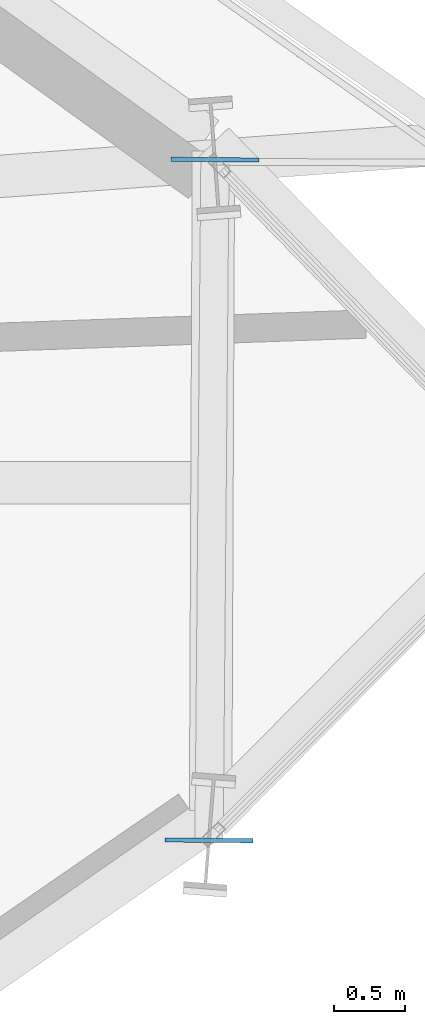
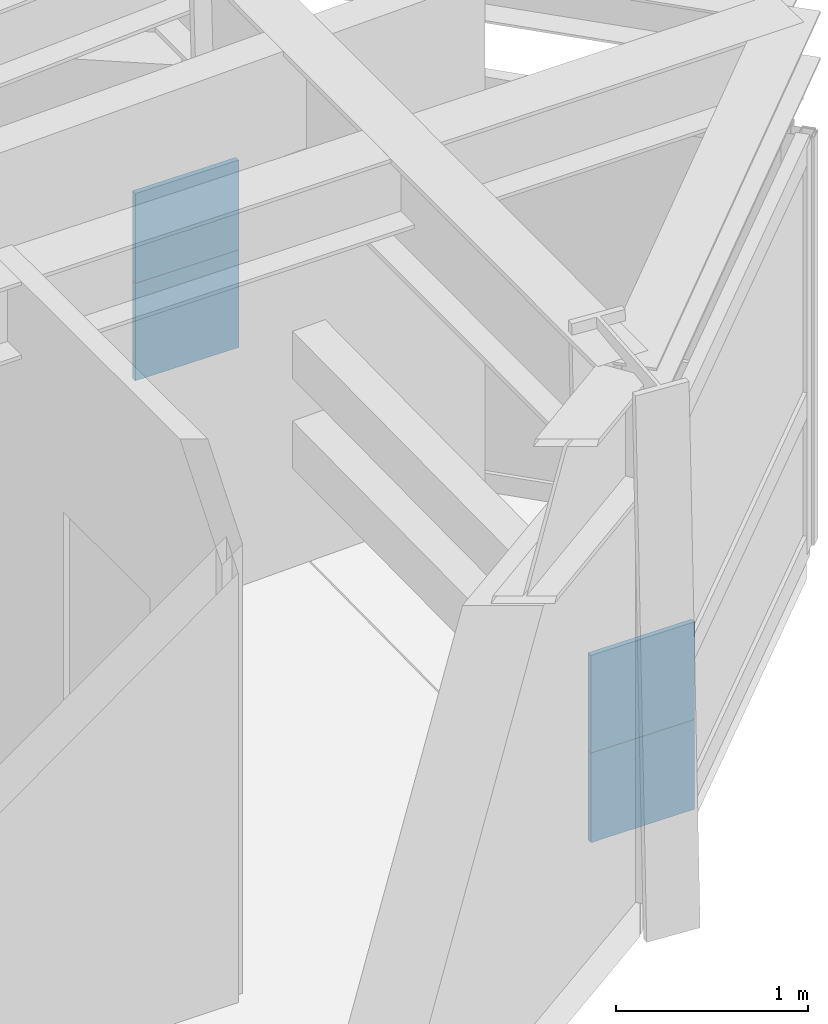
# One storey, part 16 of 24: 4 plates.
"""IFC4 building model written with IfcOpenShell, lengths in metres."""

from ifc_helpers import new_model, si_unit, direction, frame, origin, origin_2d, place, context, subcontext, project, spatial, rectangle, extrude, source, transform, mapped, material, type_object, element, save


model = new_model("IFC4")

# Units and contexts
model_context = context("Model", 3, precision=1e-05, world=origin(), true_north=direction((0.0, 1.0)))
body_context = subcontext(model_context, "Body", "Model", "MODEL_VIEW")
ifc_project = project(units=[si_unit("LENGTHUNIT", "METRE"), si_unit("AREAUNIT", "SQUARE_METRE"), si_unit("VOLUMEUNIT", "CUBIC_METRE"), si_unit("PLANEANGLEUNIT", "RADIAN"), si_unit("MASSUNIT", "GRAM", prefix="KILO")], contexts=[model_context])

# Site, building, storey
site_placement = place(None, origin())
site = spatial("IfcSite", under=ifc_project, at=site_placement, CompositionType="ELEMENT")
building_placement = place(site_placement, origin())
building = spatial("IfcBuilding", under=site, at=building_placement, Name="Olszyna Solenne Hotel", CompositionType="ELEMENT")
storey_placement = place(building_placement, frame((0.0, 0.0, 36.39990234375)))
storey = spatial("IfcBuildingStorey", under=building, at=storey_placement, Name="L08", CompositionType="ELEMENT", Elevation=36.39990234375)

# Plates
ifc_material = material(Name="Steel S460M", Category="steel")
plate_type = type_object("IfcPlateType", Name="GP-CAP2", PredefinedType="USERDEFINED", material=ifc_material)
shared_shape = source(origin(), body_context, "Body", "SweptSolid", [
    extrude(rectangle(XDim=0.030029296875, YDim=0.6201171875, at=origin_2d()), origin(), (0.0, 0.0, 1.0), 0.6201171875),
])
for number, where, z_axis, x_axis, name in (
    (1, (68.923583984375, 24.094970703125, 1.0400390625), (0.0, 0.0, 1.0), (0.008726535498, 0.999961923064, 0.0), "Hollow section end-cap plate GP-CAP2 CP-PR-M-L08-PR1-1"),
    (2, (68.96533203125, 28.909423828125, 1.0400390625), (0.0, 0.0, 1.0), (0.008726535498, 0.999961923064, 0.0), "Hollow section end-cap plate GP-CAP2 CP-PR-M-L08-PR1-2"),
    (3, (68.923583984375, 24.094970703125, 0.469970703125), (0.0, 0.0, 1.0), (0.008726535498, 0.999961923064, 0.0), "Hollow section end-cap plate GP-CAP2 CP-PR-M-L08-PR2-1"),
    (4, (68.96533203125, 28.909423828125, 0.469970703125), (0.0, 0.0, 1.0), (0.008726535498, 0.999961923064, 0.0), "Hollow section end-cap plate GP-CAP2 CP-PR-M-L08-PR2-2"),
):
    element("IfcPlate", number, at=place(storey_placement, frame(where, z_axis=z_axis, x_axis=x_axis)), inside=storey, type_object=plate_type, Name=name, ObjectType="GUSSET_PLATE", PredefinedType="USERDEFINED", context=body_context, shape_type="MappedRepresentation", body=[
        mapped(shared_shape, transform((0.0, 0.0, 0.0), x_axis=(1.0, 0.0, 0.0), y_axis=(0.0, 1.0, 0.0), z_axis=(0.0, 0.0, 1.0), scale=1.0)),
    ])

save(model, "model.ifc")
